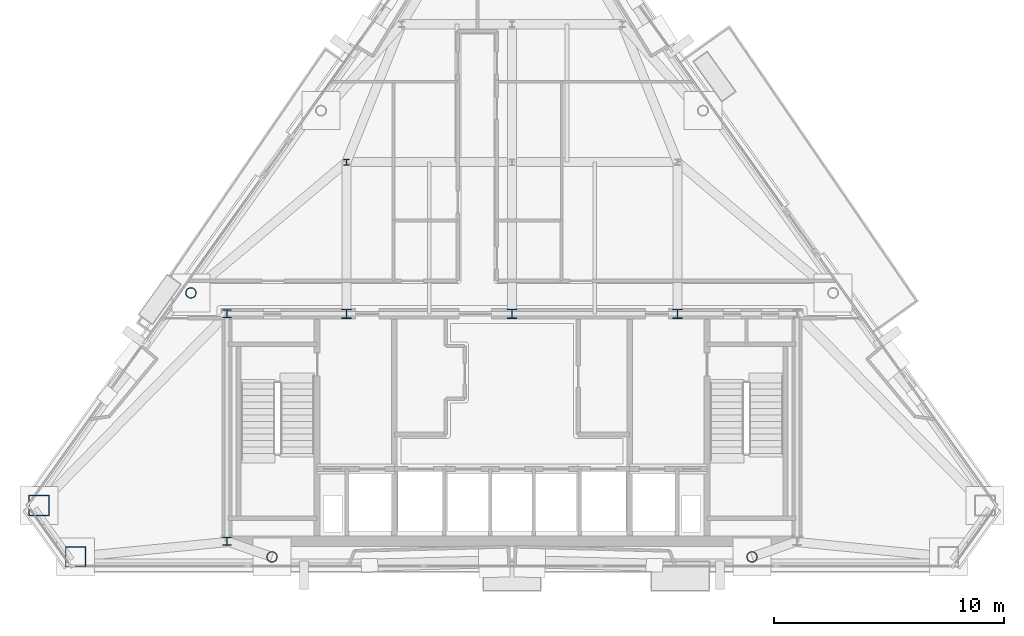
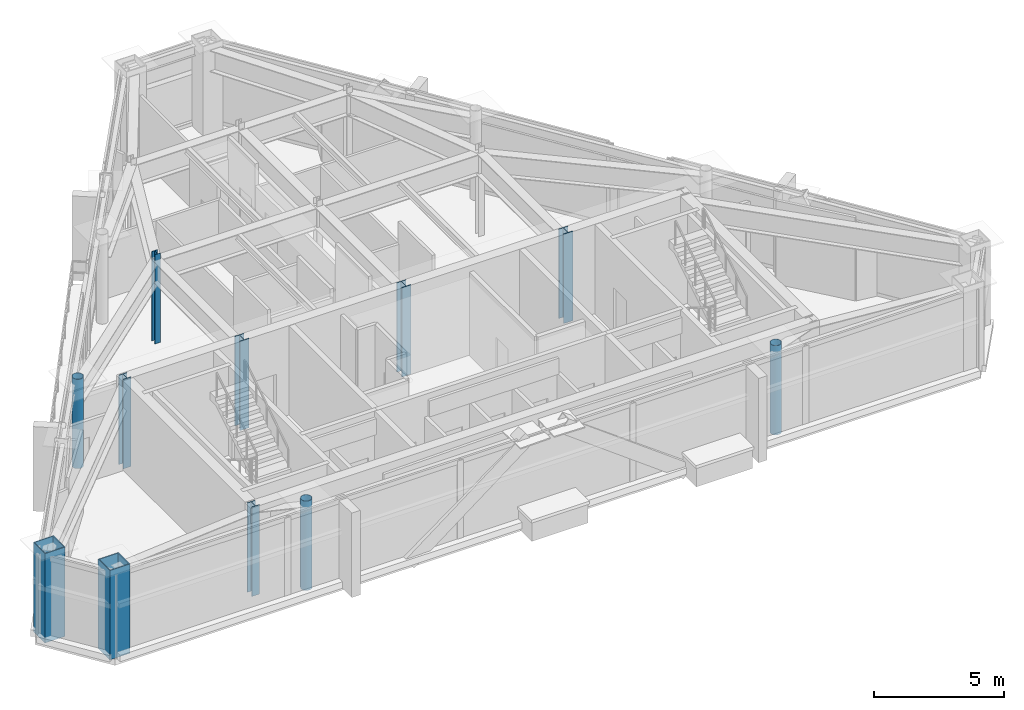
# One storey, part 1 of 10: 11 columns.
"""IFC4 building model written with IfcOpenShell, lengths in metres."""

from ifc_helpers import new_model, si_unit, direction, frame, origin, origin_2d, place, context, subcontext, project, spatial, hollow_rectangle, hollow_circle, i_section, extrude, material, material_profile, profile_set, type_object, element, save


model = new_model("IFC4")

# Units and contexts
model_context = context("Model", 3, precision=1e-05, world=origin(), true_north=direction((0.0, 1.0)))
body_context = subcontext(model_context, "Body", "Model", "MODEL_VIEW")
ifc_project = project(units=[si_unit("LENGTHUNIT", "METRE"), si_unit("AREAUNIT", "SQUARE_METRE"), si_unit("VOLUMEUNIT", "CUBIC_METRE"), si_unit("PLANEANGLEUNIT", "RADIAN"), si_unit("MASSUNIT", "GRAM", prefix="KILO")], contexts=[model_context])

# Site, building, storey
site_placement = place(None, origin())
site = spatial("IfcSite", under=ifc_project, at=site_placement, CompositionType="ELEMENT")
building_placement = place(site_placement, origin())
building = spatial("IfcBuilding", under=site, at=building_placement, Name="Talgorran Terracotta Tower", CompositionType="ELEMENT")
storey_placement = place(building_placement, frame((0.0, 0.0, 289.199951171875)))
storey = spatial("IfcBuildingStorey", under=building, at=storey_placement, Name="L76", CompositionType="ELEMENT", Elevation=289.199951171875)

# Columns
ifc_material_1 = material(Name="Steel S355 (300PLUS)", Category="steel")
ifc_material_profile_1 = material_profile(ifc_material_1, i_section(OverallWidth=0.256103515625, OverallDepth=0.260009765625, WebThickness=0.010498046875, FlangeThickness=0.017333984375, at=origin_2d()), Name="250UC89.5")
ifc_profile_set_1 = profile_set([ifc_material_profile_1], Name="Steel S355 (300PLUS)")
column_type_1 = type_object("IfcColumnType", Name="COL_250UC89", PredefinedType="COLUMN", material=ifc_profile_set_1)
column_placement = place(storey_placement, frame((-7.199951171875, 2.39990234375, 0.0), z_axis=(0.0, 0.0, 1.0), x_axis=(1.0, 0.0, 0.0)))
element("IfcColumn", 1, at=column_placement, inside=storey, type_object=column_type_1, Name="L76 Interior Gravity Column IC1", PredefinedType="COLUMN", context=body_context, shape_type="SweptSolid", body=[
    extrude(i_section(OverallWidth=0.256103515625, OverallDepth=0.260009765625, WebThickness=0.010498046875, FlangeThickness=0.017333984375, at=origin_2d()), origin(), (0.0, 0.0, 1.0), 4.199951171875),
])
ifc_material_profile_2 = material_profile(ifc_material_1, i_section(OverallWidth=0.35205078125, OverallDepth=0.35888671875, WebThickness=0.01806640625, FlangeThickness=0.02587890625, at=origin_2d()), Name="350WC197")
ifc_profile_set_2 = profile_set([ifc_material_profile_2], Name="Steel S355 (300PLUS)")
column_type_2 = type_object("IfcColumnType", Name="COL_350WC197", PredefinedType="COLUMN", material=ifc_profile_set_2)
for number, where, z_axis, x_axis, name in (
    (2, (-12.39990234375, -14.10009765625, 0.0), (0.0, 0.0, 1.0), (1.0, 0.0, 0.0), "L76 Core Boundary Column CC1"),
    (3, (-12.39990234375, -4.199951171875, 0.0), (0.0, 0.0, 1.0), (1.0, 0.0, 0.0), "L76 Core Boundary Column CC4"),
):
    element("IfcColumn", number, at=place(storey_placement, frame(where, z_axis=z_axis, x_axis=x_axis)), inside=storey, type_object=column_type_2, Name=name, PredefinedType="COLUMN", context=body_context, shape_type="SweptSolid", body=[
        extrude(i_section(OverallWidth=0.35205078125, OverallDepth=0.35888671875, WebThickness=0.01806640625, FlangeThickness=0.02587890625, at=origin_2d()), origin(), (0.0, 0.0, 1.0), 4.199951171875),
    ])
ifc_material_2 = material(Name="Steel Grade 350 (350L0)", Category="steel")
ifc_material_profile_3 = material_profile(ifc_material_2, hollow_rectangle(XDim=0.89990234375, YDim=0.89990234375, WallThickness=0.0400390625, at=origin_2d()), Name="CFT900X900X40")
ifc_profile_set_3 = profile_set([ifc_material_profile_3], Name="Steel Grade 350 (350L0)")
column_type_3 = type_object("IfcColumnType", Name="COL_CFT_900", PredefinedType="COLUMN", material=ifc_profile_set_3)
for number, where, z_axis, x_axis, name in (
    (4, (-20.578857421875, -12.542724609375, 0.0), (0.0, 0.0, 1.0), (1.0, 0.0, 0.0), "L76 Corner CFT Mega-Column MC1"),
    (5, (-18.984619140625, -14.7744140625, 0.0), (0.0, 0.0, 1.0), (1.0, 0.0, 0.0), "L76 Corner CFT Mega-Column MC2"),
):
    element("IfcColumn", number, at=place(storey_placement, frame(where, z_axis=z_axis, x_axis=x_axis)), inside=storey, type_object=column_type_3, Name=name, PredefinedType="COLUMN", context=body_context, shape_type="SweptSolid", body=[
        extrude(hollow_rectangle(XDim=0.89990234375, YDim=0.89990234375, WallThickness=0.0400390625, at=origin_2d()), origin(), (0.0, 0.0, 1.0), 4.199951171875),
    ])
ifc_material_3 = material(Name="Steel S350 (C350L0)", Category="steel")
ifc_material_profile_4 = material_profile(ifc_material_3, hollow_circle(Radius=0.228515625, WallThickness=0.01611328125, at=origin_2d()), Name="CHS457X16")
ifc_profile_set_4 = profile_set([ifc_material_profile_4], Name="Steel S350 (C350L0)")
column_type_4 = type_object("IfcColumnType", Name="COL_CHS_457", PredefinedType="COLUMN", material=ifc_profile_set_4)
for number, where, z_axis, x_axis, name in (
    (6, (-10.441650390625, -14.7744140625, 0.0), (0.0, 0.0, 1.0), (1.0, 0.0, 0.0), "L76 Facet Perimeter Column FC1"),
    (7, (10.441650390625, -14.7744140625, 0.0), (0.0, 0.0, 1.0), (1.0, 0.0, 0.0), "L76 Facet Perimeter Column FC2"),
    (8, (-13.970458984375, -3.29150390625, 0.0), (0.0, 0.0, 1.0), (1.0, 0.0, 0.0), "L76 Facet Perimeter Column FC6"),
):
    element("IfcColumn", number, at=place(storey_placement, frame(where, z_axis=z_axis, x_axis=x_axis)), inside=storey, type_object=column_type_4, Name=name, PredefinedType="COLUMN", context=body_context, shape_type="SweptSolid", body=[
        extrude(hollow_circle(Radius=0.228515625, WallThickness=0.01611328125, at=origin_2d()), origin(), (0.0, 0.0, 1.0), 4.199951171875),
    ])
ifc_material_profile_5 = material_profile(ifc_material_1, i_section(OverallWidth=0.405029296875, OverallDepth=0.4140625, WebThickness=0.02197265625, FlangeThickness=0.031982421875, at=origin_2d()), Name="400WC270")
ifc_profile_set_5 = profile_set([ifc_material_profile_5], Name="Steel S355 (300PLUS)")
column_type_5 = type_object("IfcColumnType", Name="COL_PIL_400WC270", PredefinedType="PILASTER", material=ifc_profile_set_5)
for number, where, z_axis, x_axis, name in (
    (9, (-7.199951171875, -4.199951171875, 0.0), (0.0, 0.0, 1.0), (1.0, 0.0, 0.0), "L76 Core Shear Pilaster CP1"),
    (10, (0.0, -4.199951171875, 0.0), (0.0, 0.0, 1.0), (1.0, 0.0, 0.0), "L76 Core Shear Pilaster CP2"),
    (11, (7.199951171875, -4.199951171875, 0.0), (0.0, 0.0, 1.0), (1.0, 0.0, 0.0), "L76 Core Shear Pilaster CP3"),
):
    element("IfcColumn", number, at=place(storey_placement, frame(where, z_axis=z_axis, x_axis=x_axis)), inside=storey, type_object=column_type_5, Name=name, PredefinedType="PILASTER", context=body_context, shape_type="SweptSolid", body=[
        extrude(i_section(OverallWidth=0.405029296875, OverallDepth=0.4140625, WebThickness=0.02197265625, FlangeThickness=0.031982421875, at=origin_2d()), origin(), (0.0, 0.0, 1.0), 4.199951171875),
    ])

save(model, "model.ifc")
